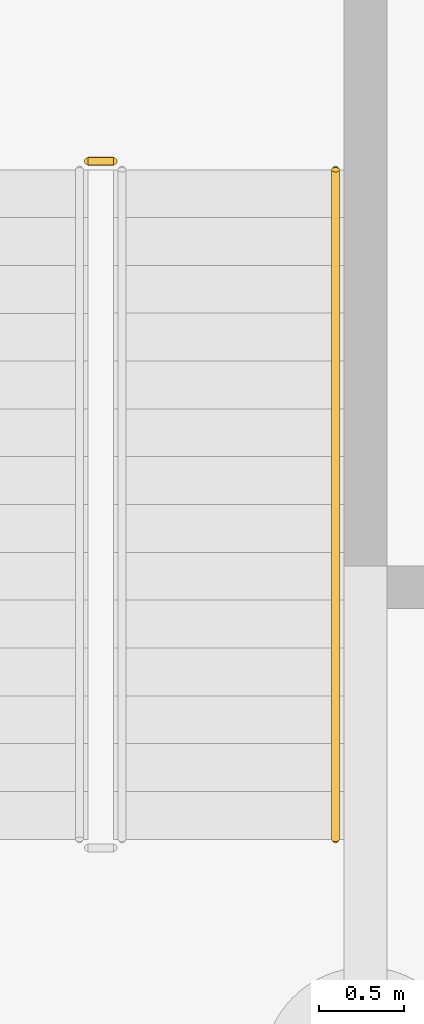
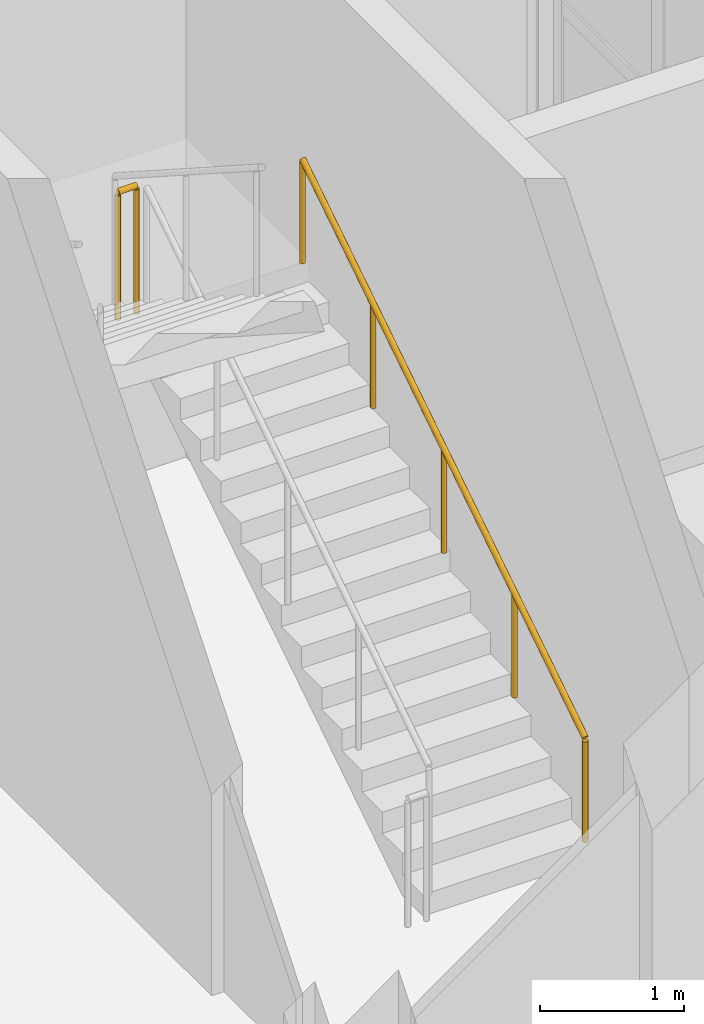
# One storey, part 142 of 168: 2 railings.
"""IFC4 building model written with IfcOpenShell, lengths in metres."""

from ifc_helpers import new_model, si_unit, direction, frame, origin, origin_2d, place, context, subcontext, project, spatial, circle, extrude, material, type_object, element, save


model = new_model("IFC4")

# Units and contexts
model_context = context("Model", 3, precision=1e-05, world=origin(), true_north=direction((0.0, 1.0)))
body_context = subcontext(model_context, "Body", "Model", "MODEL_VIEW")
ifc_project = project(units=[si_unit("LENGTHUNIT", "METRE"), si_unit("AREAUNIT", "SQUARE_METRE"), si_unit("VOLUMEUNIT", "CUBIC_METRE"), si_unit("PLANEANGLEUNIT", "RADIAN"), si_unit("MASSUNIT", "GRAM", prefix="KILO")], contexts=[model_context])

# Site, building, storey
site_placement = place(None, origin())
site = spatial("IfcSite", under=ifc_project, at=site_placement, CompositionType="ELEMENT")
building_placement = place(site_placement, origin())
building = spatial("IfcBuilding", under=site, at=building_placement, Name="Golden Quay Civic Hall", CompositionType="ELEMENT")
storey_placement = place(building_placement, origin())
storey = spatial("IfcBuildingStorey", under=building, at=storey_placement, Name="L00", CompositionType="ELEMENT", Elevation=0.0)

# Railings
ifc_material_1 = material(Name="Steel S355", Category="steel")
railing_type_1 = type_object("IfcRailingType", Name="Steel guard 1100", PredefinedType="GUARDRAIL", material=ifc_material_1)
railing_1_placement = place(storey_placement, frame((49.574951171875, 68.52001953125, 2.699951171875)))
element("IfcRailing", 1, at=railing_1_placement, inside=storey, type_object=railing_type_1, Name="L00 NW-E stair guard 2", PredefinedType="GUARDRAIL", context=body_context, shape_type="SweptSolid", body=[
    extrude(circle(Radius=0.02392578125, at=origin_2d()), frame((0.0, 0.0, 1.076171875), z_axis=(-1.0, 0.0, 0.0), x_axis=(0.0, -1.0, 0.0)), (0.0, 0.0, 1.0), 0.14990234375),
    extrude(circle(Radius=0.02099609375, at=origin_2d()), origin(), (0.0, 0.0, 1.0), 1.052001953125),
    extrude(circle(Radius=0.02099609375, at=origin_2d()), frame((-0.14990234375, 0.0, 0.0)), (0.0, 0.0, 1.0), 1.052001953125),
])
ifc_material_2 = material(Name="Steel S355", Category="steel")
railing_type_2 = type_object("IfcRailingType", Name="Steel handrail 900", PredefinedType="HANDRAIL", material=ifc_material_2)
railing_2_placement = place(storey_placement, frame((50.875, 64.550048828125, 0.179931640625)))
element("IfcRailing", 2, at=railing_2_placement, inside=storey, type_object=railing_type_2, Name="L00 NW-E stair handrail 1", PredefinedType="HANDRAIL", context=body_context, shape_type="SweptSolid", body=[
    extrude(circle(Radius=0.02392578125, at=origin_2d()), frame((0.0, 0.0, 0.8759765625), z_axis=(0.0, 0.841171666519, 0.540768182723), x_axis=(-1.0, 0.0, 0.0)), (0.0, 0.0, 1.0), 4.66015625),
    extrude(circle(Radius=0.02099609375, at=origin_2d()), origin(), (0.0, 0.0, 1.0), 0.851806640625),
    extrude(circle(Radius=0.02099609375, at=origin_2d()), frame((0.0, 0.97998046875, 0.6298828125)), (0.0, 0.0, 1.0), 0.851806640625),
    extrude(circle(Radius=0.02099609375, at=origin_2d()), frame((0.0, 1.9599609375, 1.260009765625)), (0.0, 0.0, 1.0), 0.851806640625),
    extrude(circle(Radius=0.02099609375, at=origin_2d()), frame((0.0, 2.93994140625, 1.89013671875)), (0.0, 0.0, 1.0), 0.851806640625),
    extrude(circle(Radius=0.02099609375, at=origin_2d()), frame((0.0, 3.919921875, 2.52001953125)), (0.0, 0.0, 1.0), 0.851806640625),
])

save(model, "model.ifc")
